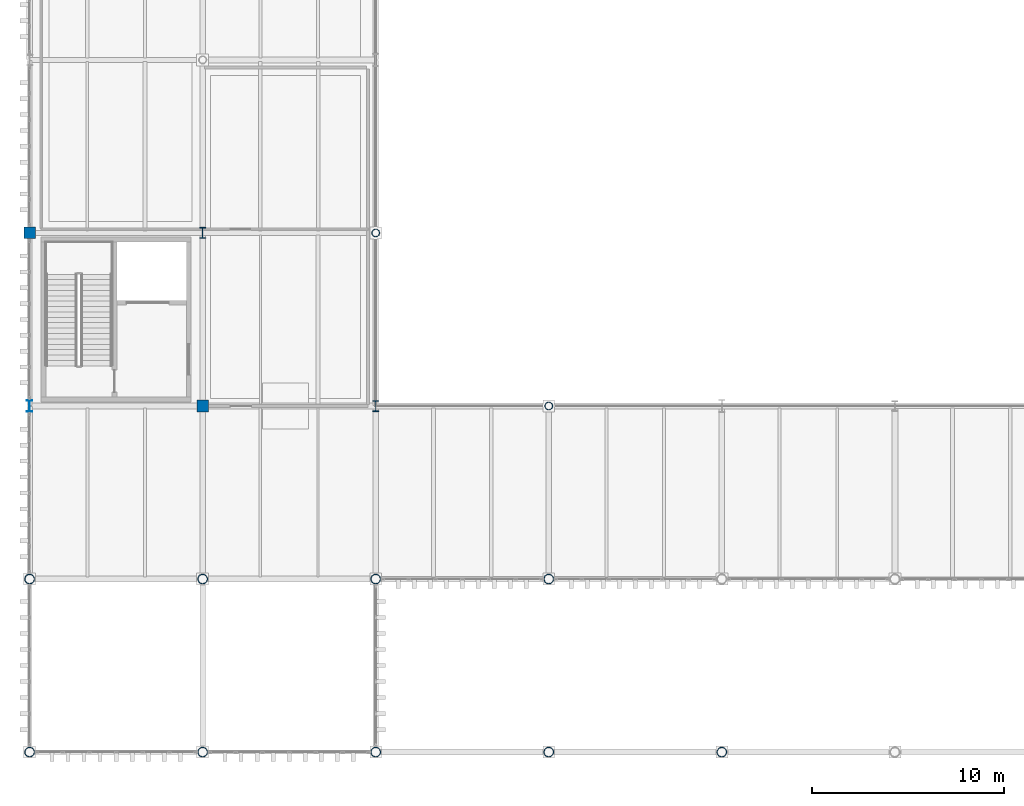
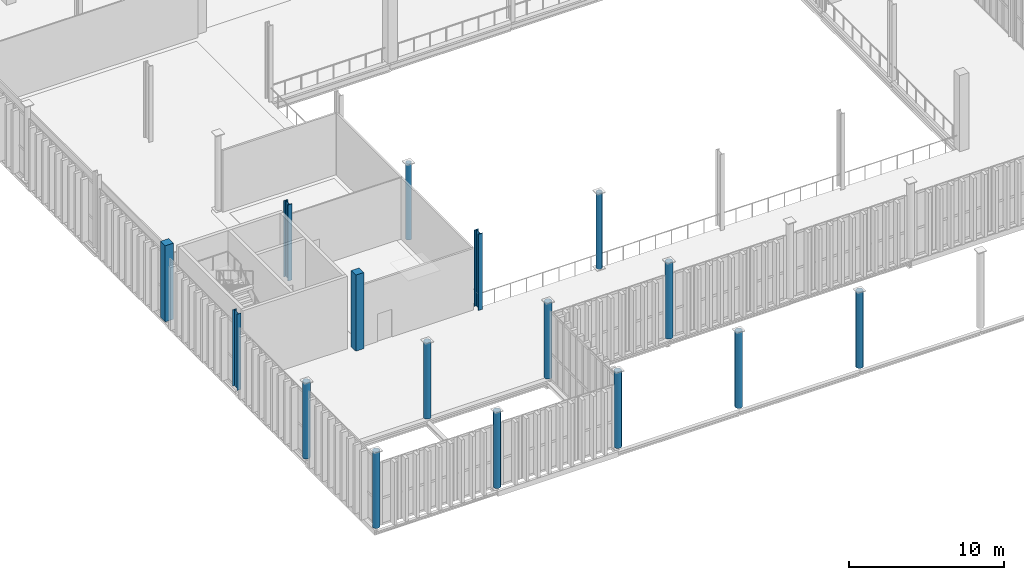
# One storey, part 1 of 211: 16 columns.
"""IFC4 building model written with IfcOpenShell, lengths in metres."""

import ifcopenshell
import ifcopenshell.guid

model = None  # the IFC model being written
_history = None  # IfcOwnerHistory: only IFC2X3 demands one
_inside = {}  # id of a spatial element -> (the spatial element, [elements in it])
_under = {}  # id of a project, library or spatial element -> (it, [spatial elements below it])
_declared = {}  # id of a project -> (the project, [libraries it declares])
_typed = {}  # id of a type object -> (the type object, [elements of that type])
_made_of = {}  # id of a material, layer set ... -> (it, [elements and type objects made of it])


def new_model(schema):
    """Start an empty IFC model of exactly this schema.

    Asked for "IFC4X3", IfcOpenShell would pick the latest addendum, in which some entities
    have other attributes; the version numbers below select the first issue.
    IFC2X3 requires an IfcOwnerHistory on every rooted entity: one is made here for all.
    """
    global model, _history
    if schema == "IFC4X3":
        model = ifcopenshell.file(schema_version=(4, 3, 0, 0))
    else:
        model = ifcopenshell.file(schema=schema)
    _inside.clear()
    _under.clear()
    _declared.clear()
    _typed.clear()
    _made_of.clear()
    _history = None
    if model.schema == "IFC2X3":
        org = make("IfcOrganization", Name="unknown")
        user = make(
            "IfcPersonAndOrganization",
            ThePerson=make("IfcPerson", FamilyName="unknown"),
            TheOrganization=org,
        )
        app = make(
            "IfcApplication",
            ApplicationDeveloper=org,
            Version="unknown",
            ApplicationFullName="unknown",
            ApplicationIdentifier="unknown",
        )
        _history = make(
            "IfcOwnerHistory",
            OwningUser=user,
            OwningApplication=app,
            ChangeAction="ADDED",
            CreationDate=0,
        )
    return model


def make(cls, **values):
    """One entity of the class cls with the attributes given. An attribute that is None is left unset."""
    return model.create_entity(
        cls, **{name: value for name, value in values.items() if value is not None}
    )


def rooted(cls, **values):
    """An entity with a GlobalId (a new one), such as an element, a storey or a relation."""
    return make(cls, GlobalId=ifcopenshell.guid.new(), OwnerHistory=_history, **values)


def si_unit(unit_type, name, prefix=None):
    """IfcSIUnit, for example si_unit("LENGTHUNIT", "METRE", prefix="MILLI")."""
    return make("IfcSIUnit", UnitType=unit_type, Prefix=prefix, Name=name)


def assignment(units):
    """IfcUnitAssignment: the units of a project."""
    return None if units is None else make("IfcUnitAssignment", Units=units)


def point(xyz):
    """IfcCartesianPoint."""
    return None if xyz is None else make("IfcCartesianPoint", Coordinates=xyz)


def direction(xyz):
    """IfcDirection."""
    return None if xyz is None else make("IfcDirection", DirectionRatios=xyz)


def frame(location, z_axis=None, x_axis=None):
    """IfcAxis2Placement3D, a coordinate frame: its origin and axes. An axis left out is left unset."""
    return make(
        "IfcAxis2Placement3D",
        Location=point(location),
        Axis=direction(z_axis),
        RefDirection=direction(x_axis),
    )


def frame_2d(location, x_axis=None):
    """IfcAxis2Placement2D, a coordinate frame in the plane: its origin and x axis."""
    return make(
        "IfcAxis2Placement2D", Location=point(location), RefDirection=direction(x_axis)
    )


def origin():
    """The frame at (0, 0, 0) with its axes left unset."""
    return frame((0.0, 0.0, 0.0))


def origin_2d():
    """The frame at (0, 0) in the plane with its x axis left unset."""
    return frame_2d((0.0, 0.0))


def place(relative_to, where):
    """IfcLocalPlacement: puts the frame where relative to a parent placement (None: the world)."""
    return make(
        "IfcLocalPlacement", PlacementRelTo=relative_to, RelativePlacement=where
    )


def context(
    kind, dimensions, precision=None, world=None, true_north=None, identifier=None
):
    """IfcGeometricRepresentationContext, for example the 3D "Model" context."""
    return make(
        "IfcGeometricRepresentationContext",
        ContextIdentifier=identifier,
        ContextType=kind,
        CoordinateSpaceDimension=dimensions,
        Precision=precision,
        WorldCoordinateSystem=world,
        TrueNorth=true_north,
    )


def subcontext(parent, identifier, kind, view, scale=None):
    """IfcGeometricRepresentationSubContext, for example "Body" below "Model"."""
    return make(
        "IfcGeometricRepresentationSubContext",
        ContextIdentifier=identifier,
        ContextType=kind,
        ParentContext=parent,
        TargetScale=scale,
        TargetView=view,
    )


def project(units=None, contexts=None):
    """IfcProject with its units and contexts."""
    return rooted(
        "IfcProject",
        Name="project",
        RepresentationContexts=contexts,
        UnitsInContext=assignment(units),
    )


def spatial(cls, under=None, at=None, **own):
    """A site, building, storey or space (cls), placed at a placement, below another one or the project."""
    s = rooted(cls, ObjectPlacement=at, **own)
    if under is not None:
        _under.setdefault(under.id(), (under, []))[1].append(s)
    return s


def profile(cls, at=None, kind="AREA", **sizes):
    """A parametric profile (cls). Its sizes go by their IFC names, for example OverallWidth=200.0."""
    return make(cls, ProfileType=kind, Position=at, **sizes)


def rectangle(**sizes):
    """IfcRectangleProfileDef."""
    return profile("IfcRectangleProfileDef", **sizes)


def hollow_circle(**sizes):
    """IfcCircleHollowProfileDef."""
    return profile("IfcCircleHollowProfileDef", **sizes)


def i_section(**sizes):
    """IfcIShapeProfileDef."""
    return profile("IfcIShapeProfileDef", **sizes)


def extrude(swept, where, along, depth):
    """IfcExtrudedAreaSolid: the profile swept, set in the frame where, extruded along a direction by depth."""
    return make(
        "IfcExtrudedAreaSolid",
        SweptArea=swept,
        Position=where,
        ExtrudedDirection=direction(along),
        Depth=depth,
    )


def shape(context_of_items, identifier, shape_type, items):
    """IfcShapeRepresentation: the items that make up one representation, for example the "Body"."""
    return make(
        "IfcShapeRepresentation",
        ContextOfItems=context_of_items,
        RepresentationIdentifier=identifier,
        RepresentationType=shape_type,
        Items=items,
    )


def material(Name=None, Category=None):
    """IfcMaterial."""
    return make("IfcMaterial", Name=Name, Category=Category)


def material_profile(
    of_material, cross_section, Name=None, Category=None, Priority=None
):
    """IfcMaterialProfile: a cross section and its material."""
    return make(
        "IfcMaterialProfile",
        Name=Name,
        Material=of_material,
        Profile=cross_section,
        Priority=Priority,
        Category=Category,
    )


def profile_set(profiles, Name=None, composite=None):
    """IfcMaterialProfileSet."""
    return make(
        "IfcMaterialProfileSet",
        Name=Name,
        MaterialProfiles=profiles,
        CompositeProfile=composite,
    )


def made_of(thing, what):
    """Note that an element or type object is made of a material, layer set ...; save() writes the relation."""
    if what is not None:
        _made_of.setdefault(what.id(), (what, []))[1].append(thing)
    return thing


def type_object(cls, material=None, **own):
    """A type object (cls), such as IfcWallType, which elements share."""
    return made_of(rooted(cls, **own), material)


def element(
    cls,
    number,
    at=None,
    inside=None,
    cuts=None,
    type_object=None,
    material=None,
    context=None,
    identifier="Body",
    shape_type=None,
    held_by="IfcProductDefinitionShape",
    body=None,
    shapes=None,
    **own,
):
    """One element of the class cls, such as IfcWall. Its Tag is "e" and its number.

    at: its placement. inside: the storey or other place that contains it. cuts: it is an
    opening in that element (IfcRelVoidsElement). A single representation is given by context,
    identifier, shape_type and body (its items); several are given by shapes. held_by: the class
    of the entity that holds the representations. save() writes the other relations.
    """
    e = rooted(cls, Tag="e%d" % number, ObjectPlacement=at, **own)
    if body is not None:
        shapes = [shape(context, identifier, shape_type, body)]
    if shapes is not None:
        e.Representation = make(held_by, Representations=shapes)
    if inside is not None:
        _inside.setdefault(inside.id(), (inside, []))[1].append(e)
    if cuts is not None:
        rooted(
            "IfcRelVoidsElement", RelatingBuildingElement=cuts, RelatedOpeningElement=e
        )
    if type_object is not None:
        _typed.setdefault(type_object.id(), (type_object, []))[1].append(e)
    return made_of(e, material)


def aggregate(whole, parts):
    """IfcRelAggregates: a whole, such as a stair, and the parts it consists of."""
    return rooted("IfcRelAggregates", RelatingObject=whole, RelatedObjects=parts)


def save(model, path):
    """Write the relations noted so far, then the file.

    IfcRelAggregates (storeys below a building ...), IfcRelContainedInSpatialStructure (elements
    in a storey), IfcRelDefinesByType, IfcRelAssociatesMaterial and IfcRelDeclares: one each for
    every whole, place, type object, material and project.
    """
    for whole, parts in _under.values():
        aggregate(whole, parts)
    for where, things in _inside.values():
        rooted(
            "IfcRelContainedInSpatialStructure",
            RelatedElements=things,
            RelatingStructure=where,
        )
    for kind, things in _typed.values():
        rooted("IfcRelDefinesByType", RelatedObjects=things, RelatingType=kind)
    for what, things in _made_of.values():
        rooted("IfcRelAssociatesMaterial", RelatedObjects=things, RelatingMaterial=what)
    for by, libraries in _declared.values():
        rooted("IfcRelDeclares", RelatingContext=by, RelatedDefinitions=libraries)
    model.write(path)


model = new_model("IFC4")

# Units and contexts
model_context = context("Model", 3, precision=1e-05, world=origin(), true_north=direction((0.0, 1.0)))
body_context = subcontext(model_context, "Body", "Model", "MODEL_VIEW")
ifc_project = project(units=[si_unit("LENGTHUNIT", "METRE"), si_unit("AREAUNIT", "SQUARE_METRE"), si_unit("VOLUMEUNIT", "CUBIC_METRE"), si_unit("PLANEANGLEUNIT", "RADIAN"), si_unit("MASSUNIT", "GRAM", prefix="KILO")], contexts=[model_context])

# Site, building, storey
site_placement = place(None, origin())
site = spatial("IfcSite", under=ifc_project, at=site_placement, CompositionType="ELEMENT")
building_placement = place(site_placement, origin())
building = spatial("IfcBuilding", under=site, at=building_placement, Name="Barlavento Convention Centre", CompositionType="ELEMENT")
storey_placement = place(building_placement, frame((0.0, 0.0, 6.0)))
storey = spatial("IfcBuildingStorey", under=building, at=storey_placement, Name="L01", CompositionType="ELEMENT", Elevation=6.0)

# Columns
ifc_material_1 = material(Name="Steel S355", Category="steel")
ifc_material_profile_1 = material_profile(ifc_material_1, hollow_circle(Radius=0.203125, WallThickness=0.01611328125, at=origin_2d()), Name="CHS 406.4x16.0")
ifc_profile_set_1 = profile_set([ifc_material_profile_1], Name="Steel S355")
column_type_1 = type_object("IfcColumnType", Name="STR-COL-CHS406", PredefinedType="COLUMN", material=ifc_profile_set_1)
for number, where, z_axis, x_axis, name in (
    (1, (18.0, 27.0, 0.0), (0.0, 0.0, 1.0), (1.0, 0.0, 0.0), "L01 column SC14"),
    (2, (27.0, 18.0, 0.0), (0.0, 0.0, 1.0), (1.0, 0.0, 0.0), "L01 column SC14"),
):
    element("IfcColumn", number, at=place(storey_placement, frame(where, z_axis=z_axis, x_axis=x_axis)), inside=storey, type_object=column_type_1, Name=name, PredefinedType="COLUMN", context=body_context, shape_type="SweptSolid", body=[
        extrude(hollow_circle(Radius=0.203125, WallThickness=0.01611328125, at=origin_2d()), origin(), (0.0, 0.0, 1.0), 6.0),
    ])
ifc_material_2 = material(Name="Steel S460", Category="steel")
ifc_material_profile_2 = material_profile(ifc_material_2, hollow_circle(Radius=0.25390625, WallThickness=0.02001953125, at=origin_2d()), Name="CHS 508.0x20.0")
ifc_profile_set_2 = profile_set([ifc_material_profile_2], Name="Steel S460")
column_type_2 = type_object("IfcColumnType", Name="STR-COL-CHS508", PredefinedType="COLUMN", material=ifc_profile_set_2)
for number, where, z_axis, x_axis, name in (
    (3, (0.0, 0.0, 0.0), (0.0, 0.0, 1.0), (1.0, 0.0, 0.0), "L01 column SC13"),
    (4, (0.0, 9.0, 0.0), (0.0, 0.0, 1.0), (1.0, 0.0, 0.0), "L01 column SC13"),
    (5, (9.0, 0.0, 0.0), (0.0, 0.0, 1.0), (1.0, 0.0, 0.0), "L01 column SC13"),
    (6, (9.0, 9.0, 0.0), (0.0, 0.0, 1.0), (1.0, 0.0, 0.0), "L01 column SC13"),
    (7, (18.0, 0.0, 0.0), (0.0, 0.0, 1.0), (1.0, 0.0, 0.0), "L01 column SC13"),
    (8, (18.0, 9.0, 0.0), (0.0, 0.0, 1.0), (1.0, 0.0, 0.0), "L01 column SC13"),
    (9, (27.0, 0.0, 0.0), (0.0, 0.0, 1.0), (1.0, 0.0, 0.0), "L01 column SC13"),
    (10, (27.0, 9.0, 0.0), (0.0, 0.0, 1.0), (1.0, 0.0, 0.0), "L01 column SC13"),
    (11, (36.0, 0.0, 0.0), (0.0, 0.0, 1.0), (1.0, 0.0, 0.0), "L01 column SC13"),
):
    element("IfcColumn", number, at=place(storey_placement, frame(where, z_axis=z_axis, x_axis=x_axis)), inside=storey, type_object=column_type_2, Name=name, PredefinedType="COLUMN", context=body_context, shape_type="SweptSolid", body=[
        extrude(hollow_circle(Radius=0.25390625, WallThickness=0.02001953125, at=origin_2d()), origin(), (0.0, 0.0, 1.0), 6.0),
    ])
ifc_material_profile_3 = material_profile(ifc_material_1, i_section(OverallWidth=0.300048828125, OverallDepth=0.60009765625, WebThickness=0.015380859375, FlangeThickness=0.030029296875, FilletRadius=0.027099609375, at=origin_2d()), Name="HEB 600")
ifc_profile_set_3 = profile_set([ifc_material_profile_3], Name="Steel S355")
column_type_3 = type_object("IfcColumnType", Name="STR-COL-HEB600", PredefinedType="COLUMN", material=ifc_profile_set_3)
column_placement = place(storey_placement, frame((0.0, 18.0, 0.0), z_axis=(0.0, 0.0, 1.0), x_axis=(1.0, 0.0, 0.0)))
element("IfcColumn", 12, at=column_placement, inside=storey, type_object=column_type_3, Name="L01 column SC08", PredefinedType="COLUMN", context=body_context, shape_type="SweptSolid", body=[
    extrude(i_section(OverallWidth=0.300048828125, OverallDepth=0.60009765625, WebThickness=0.015380859375, FlangeThickness=0.030029296875, FilletRadius=0.027099609375, at=origin_2d()), origin(), (0.0, 0.0, 1.0), 6.0),
])
ifc_material_profile_4 = material_profile(ifc_material_1, i_section(OverallWidth=0.305908203125, OverallDepth=0.572021484375, WebThickness=0.02099609375, FlangeThickness=0.0400390625, FilletRadius=0.027099609375, at=origin_2d()), Name="HEM 550")
ifc_profile_set_4 = profile_set([ifc_material_profile_4], Name="Steel S355")
column_type_4 = type_object("IfcColumnType", Name="STR-COL-HEM550", PredefinedType="COLUMN", material=ifc_profile_set_4)
for number, where, z_axis, x_axis, name in (
    (13, (9.0, 27.0, 0.0), (0.0, 0.0, 1.0), (1.0, 0.0, 0.0), "L01 column SC06"),
    (14, (18.0, 18.0, 0.0), (0.0, 0.0, 1.0), (1.0, 0.0, 0.0), "L01 column SC06"),
):
    element("IfcColumn", number, at=place(storey_placement, frame(where, z_axis=z_axis, x_axis=x_axis)), inside=storey, type_object=column_type_4, Name=name, PredefinedType="COLUMN", context=body_context, shape_type="SweptSolid", body=[
        extrude(i_section(OverallWidth=0.305908203125, OverallDepth=0.572021484375, WebThickness=0.02099609375, FlangeThickness=0.0400390625, FilletRadius=0.027099609375, at=origin_2d()), origin(), (0.0, 0.0, 1.0), 6.0),
    ])
ifc_material_3 = material(Name="Concrete C40/50", Category="concrete")
ifc_material_profile_5 = material_profile(ifc_material_3, rectangle(XDim=0.60009765625, YDim=0.60009765625, at=origin_2d()), Name="RC 600x600")
ifc_profile_set_5 = profile_set([ifc_material_profile_5], Name="Concrete C40/50")
column_type_5 = type_object("IfcColumnType", Name="STR-COL-RC600", PredefinedType="COLUMN", material=ifc_profile_set_5)
for number, where, z_axis, x_axis, name in (
    (15, (0.0, 27.0, 0.0), (0.0, 0.0, 1.0), (1.0, 0.0, 0.0), "L01 column CC07"),
    (16, (9.0, 18.0, 0.0), (0.0, 0.0, 1.0), (1.0, 0.0, 0.0), "L01 column CC07"),
):
    element("IfcColumn", number, at=place(storey_placement, frame(where, z_axis=z_axis, x_axis=x_axis)), inside=storey, type_object=column_type_5, Name=name, PredefinedType="COLUMN", context=body_context, shape_type="SweptSolid", body=[
        extrude(rectangle(XDim=0.60009765625, YDim=0.60009765625, at=origin_2d()), origin(), (0.0, 0.0, 1.0), 6.0),
    ])

save(model, "model.ifc")
